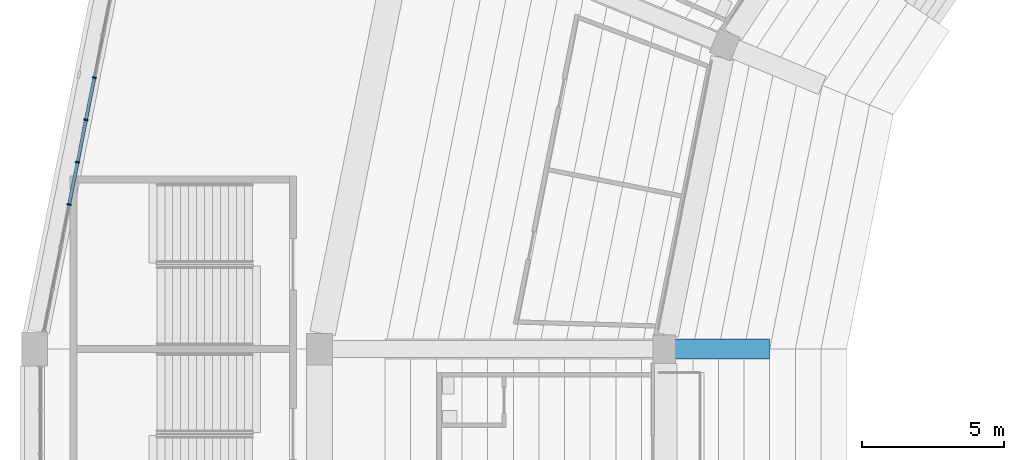
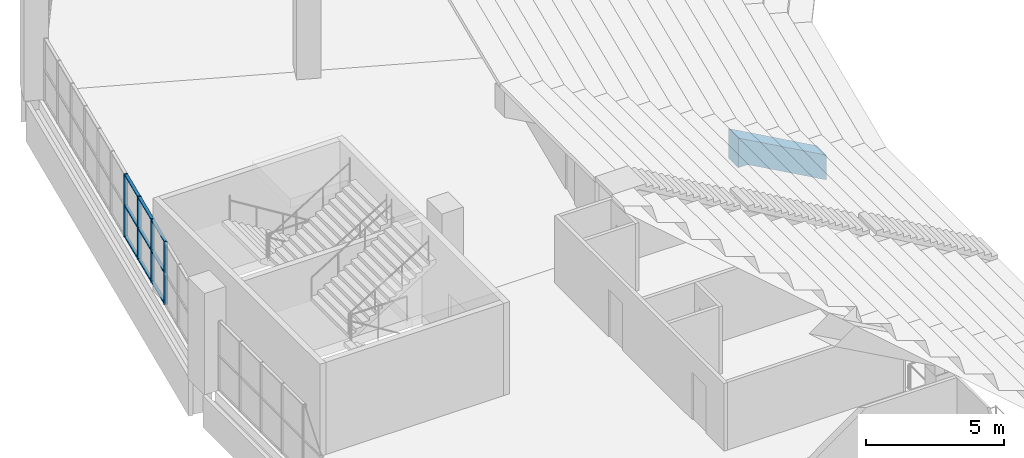
# One storey, part 42 of 249: 13 members, 1 beam, 1 element without a shape of its own.
"""IFC4 building model written with IfcOpenShell, lengths in metres."""

from ifc_helpers import new_model, si_unit, direction, frame, origin, origin_2d, place, context, subcontext, project, spatial, polyline, rectangle, outline, extrude, material, material_profile, profile_set, type_object, element, aggregate, save


model = new_model("IFC4")

# Units and contexts
model_context = context("Model", 3, precision=1e-05, world=origin(), true_north=direction((0.0, 1.0)))
body_context = subcontext(model_context, "Body", "Model", "MODEL_VIEW")
ifc_project = project(units=[si_unit("LENGTHUNIT", "METRE"), si_unit("AREAUNIT", "SQUARE_METRE"), si_unit("VOLUMEUNIT", "CUBIC_METRE"), si_unit("PLANEANGLEUNIT", "RADIAN"), si_unit("MASSUNIT", "GRAM", prefix="KILO")], contexts=[model_context])

# Site, building, storey
site_placement = place(None, origin())
site = spatial("IfcSite", under=ifc_project, at=site_placement, CompositionType="ELEMENT")
building_placement = place(site_placement, origin())
building = spatial("IfcBuilding", under=site, at=building_placement, Name="Ogive Plaza Stadium", CompositionType="ELEMENT")
storey_placement = place(building_placement, frame((0.0, 0.0, 13.5)))
storey = spatial("IfcBuildingStorey", under=building, at=storey_placement, Name="L03", CompositionType="ELEMENT", Elevation=13.5)

# Curtain wall, members
ifc_material_1 = material(Name="Bronze-anodised aluminium with laminated glass", Category="aluminium")
curtain_wall_type = type_object("IfcCurtainWallType", Name="Lancet curtain wall", PredefinedType="NOTDEFINED", material=ifc_material_1)
curtain_wall_placement = place(storey_placement, origin())
curtain_wall = element("IfcCurtainWall", 1, at=curtain_wall_placement, inside=storey, type_object=curtain_wall_type, Name="CURTAIN WALL B28 L03", PredefinedType="NOTDEFINED")
ifc_material_2 = material(Name="Bronze-anodised aluminium", Category="aluminium")
ifc_material_profile_1 = material_profile(ifc_material_2, rectangle(XDim=0.14990234375, YDim=0.050048828125, at=origin_2d()), Name="AL 150x50")
ifc_profile_set_1 = profile_set([ifc_material_profile_1], Name="Bronze-anodised aluminium")
member_type_1 = type_object("IfcMemberType", Name="Curtain wall mullion 50x150", PredefinedType="MULLION", material=ifc_profile_set_1)
member_1_placement = place(storey_placement, frame((-82.786865234375, 57.57373046875, 0.0), z_axis=(0.0, 0.0, 1.0), x_axis=(-0.980785280403, 0.195090322016, 0.0)))
member_1 = element("IfcMember", 2, at=member_1_placement, type_object=member_type_1, Name="CW-B28-L03 mullion 4", PredefinedType="MULLION", context=body_context, shape_type="SweptSolid", body=[
    extrude(rectangle(XDim=0.14990234375, YDim=0.050048828125, at=origin_2d()), origin(), (0.0, 0.0, 1.0), 2.7900390625),
])
member_2_placement = place(storey_placement, frame((-82.491455078125, 59.05859375, 0.0), z_axis=(0.0, 0.0, 1.0), x_axis=(-0.980785280403, 0.195090322016, 0.0)))
member_2 = element("IfcMember", 3, at=member_2_placement, type_object=member_type_1, Name="CW-B28-L03 mullion 5", PredefinedType="MULLION", context=body_context, shape_type="SweptSolid", body=[
    extrude(rectangle(XDim=0.14990234375, YDim=0.050048828125, at=origin_2d()), origin(), (0.0, 0.0, 1.0), 2.7900390625),
])
member_3_placement = place(storey_placement, frame((-82.1962890625, 60.543212890625, 0.0), z_axis=(0.0, 0.0, 1.0), x_axis=(-0.980785280403, 0.195090322016, 0.0)))
member_3 = element("IfcMember", 4, at=member_3_placement, type_object=member_type_1, Name="CW-B28-L03 mullion 6", PredefinedType="MULLION", context=body_context, shape_type="SweptSolid", body=[
    extrude(rectangle(XDim=0.14990234375, YDim=0.050048828125, at=origin_2d()), origin(), (0.0, 0.0, 1.0), 2.7900390625),
])
member_4_placement = place(storey_placement, frame((-81.90087890625, 62.028076171875, 0.0), z_axis=(0.0, 0.0, 1.0), x_axis=(-0.980785280403, 0.195090322016, 0.0)))
member_4 = element("IfcMember", 5, at=member_4_placement, type_object=member_type_1, Name="CW-B28-L03 mullion 7", PredefinedType="MULLION", context=body_context, shape_type="SweptSolid", body=[
    extrude(rectangle(XDim=0.14990234375, YDim=0.050048828125, at=origin_2d()), origin(), (0.0, 0.0, 1.0), 2.7900390625),
])
ifc_material_3 = material(Name="Bronze-anodised aluminium", Category="aluminium")
ifc_material_profile_2 = material_profile(ifc_material_3, rectangle(XDim=0.1201171875, YDim=0.050048828125, at=origin_2d()), Name="AL 120x50")
ifc_profile_set_2 = profile_set([ifc_material_profile_2], Name="Bronze-anodised aluminium")
member_type_2 = type_object("IfcMemberType", Name="Curtain wall transom 50x120", PredefinedType="USERDEFINED", material=ifc_profile_set_2)
member_5_placement = place(storey_placement, frame((-82.781982421875, 57.598388671875, 0.02490234375), z_axis=(0.195153744134, 0.980772662828, 0.0), x_axis=(-0.980772662828, 0.195153744134, 0.0)))
member_5 = element("IfcMember", 6, at=member_5_placement, type_object=member_type_2, Name="CW-B28-L03 transom 4.1", ObjectType="TRANSOM", PredefinedType="USERDEFINED", context=body_context, shape_type="SweptSolid", body=[
    extrude(rectangle(XDim=0.1201171875, YDim=0.050048828125, at=origin_2d()), origin(), (0.0, 0.0, 1.0), 1.463623046875),
])
member_6_placement = place(storey_placement, frame((-82.781982421875, 57.598388671875, 1.39501953125), z_axis=(0.195153744134, 0.980772662828, 0.0), x_axis=(-0.980772662828, 0.195153744134, 0.0)))
member_6 = element("IfcMember", 7, at=member_6_placement, type_object=member_type_2, Name="CW-B28-L03 transom 4.2", ObjectType="TRANSOM", PredefinedType="USERDEFINED", context=body_context, shape_type="SweptSolid", body=[
    extrude(rectangle(XDim=0.1201171875, YDim=0.050048828125, at=origin_2d()), origin(), (0.0, 0.0, 1.0), 1.463623046875),
])
member_7_placement = place(storey_placement, frame((-82.781982421875, 57.598388671875, 2.764892578125), z_axis=(0.195153744134, 0.980772662828, 0.0), x_axis=(-0.980772662828, 0.195153744134, 0.0)))
member_7 = element("IfcMember", 8, at=member_7_placement, type_object=member_type_2, Name="CW-B28-L03 transom 4.3", ObjectType="TRANSOM", PredefinedType="USERDEFINED", context=body_context, shape_type="SweptSolid", body=[
    extrude(rectangle(XDim=0.1201171875, YDim=0.050048828125, at=origin_2d()), origin(), (0.0, 0.0, 1.0), 1.463623046875),
])
member_8_placement = place(storey_placement, frame((-82.486572265625, 59.0830078125, 0.02490234375), z_axis=(0.195121823859, 0.980779013771, 0.0), x_axis=(-0.980779013771, 0.195121823859, 0.0)))
member_8 = element("IfcMember", 9, at=member_8_placement, type_object=member_type_2, Name="CW-B28-L03 transom 5.1", ObjectType="TRANSOM", PredefinedType="USERDEFINED", context=body_context, shape_type="SweptSolid", body=[
    extrude(rectangle(XDim=0.1201171875, YDim=0.050048828125, at=origin_2d()), origin(), (0.0, 0.0, 1.0), 1.4638671875),
])
member_9_placement = place(storey_placement, frame((-82.486572265625, 59.0830078125, 1.39501953125), z_axis=(0.195121823859, 0.980779013771, 0.0), x_axis=(-0.980779013771, 0.195121823859, 0.0)))
member_9 = element("IfcMember", 10, at=member_9_placement, type_object=member_type_2, Name="CW-B28-L03 transom 5.2", ObjectType="TRANSOM", PredefinedType="USERDEFINED", context=body_context, shape_type="SweptSolid", body=[
    extrude(rectangle(XDim=0.1201171875, YDim=0.050048828125, at=origin_2d()), origin(), (0.0, 0.0, 1.0), 1.4638671875),
])
member_10_placement = place(storey_placement, frame((-82.486572265625, 59.0830078125, 2.764892578125), z_axis=(0.195121823859, 0.980779013771, 0.0), x_axis=(-0.980779013771, 0.195121823859, 0.0)))
member_10 = element("IfcMember", 11, at=member_10_placement, type_object=member_type_2, Name="CW-B28-L03 transom 5.3", ObjectType="TRANSOM", PredefinedType="USERDEFINED", context=body_context, shape_type="SweptSolid", body=[
    extrude(rectangle(XDim=0.1201171875, YDim=0.050048828125, at=origin_2d()), origin(), (0.0, 0.0, 1.0), 1.4638671875),
])
member_11_placement = place(storey_placement, frame((-82.19140625, 60.56787109375, 0.02490234375), z_axis=(0.195121823859, 0.980779013771, 0.0), x_axis=(-0.980779013771, 0.195121823859, 0.0)))
member_11 = element("IfcMember", 12, at=member_11_placement, type_object=member_type_2, Name="CW-B28-L03 transom 6.1", ObjectType="TRANSOM", PredefinedType="USERDEFINED", context=body_context, shape_type="SweptSolid", body=[
    extrude(rectangle(XDim=0.1201171875, YDim=0.050048828125, at=origin_2d()), origin(), (0.0, 0.0, 1.0), 1.4638671875),
])
member_12_placement = place(storey_placement, frame((-82.19140625, 60.56787109375, 1.39501953125), z_axis=(0.195121823859, 0.980779013771, 0.0), x_axis=(-0.980779013771, 0.195121823859, 0.0)))
member_12 = element("IfcMember", 13, at=member_12_placement, type_object=member_type_2, Name="CW-B28-L03 transom 6.2", ObjectType="TRANSOM", PredefinedType="USERDEFINED", context=body_context, shape_type="SweptSolid", body=[
    extrude(rectangle(XDim=0.1201171875, YDim=0.050048828125, at=origin_2d()), origin(), (0.0, 0.0, 1.0), 1.4638671875),
])
member_13_placement = place(storey_placement, frame((-82.19140625, 60.56787109375, 2.764892578125), z_axis=(0.195121823859, 0.980779013771, 0.0), x_axis=(-0.980779013771, 0.195121823859, 0.0)))
member_13 = element("IfcMember", 14, at=member_13_placement, type_object=member_type_2, Name="CW-B28-L03 transom 6.3", ObjectType="TRANSOM", PredefinedType="USERDEFINED", context=body_context, shape_type="SweptSolid", body=[
    extrude(rectangle(XDim=0.1201171875, YDim=0.050048828125, at=origin_2d()), origin(), (0.0, 0.0, 1.0), 1.4638671875),
])
aggregate(curtain_wall, [member_1, member_2, member_3, member_4, member_5, member_6, member_7, member_8, member_9, member_10, member_11, member_12, member_13])

# Beam
ifc_material_4 = material(Name="Concrete C45/55 precast", Category="concrete")
ifc_material_profile_3 = material_profile(ifc_material_4, rectangle(XDim=0.699951171875, YDim=1.10009765625, at=origin_2d()), Name="RC 700x1100")
ifc_profile_set_3 = profile_set([ifc_material_profile_3], Name="Concrete C45/55 precast")
beam_type = type_object("IfcBeamType", Name="Precast raker UT cantilever 700x1100", PredefinedType="USERDEFINED", material=ifc_profile_set_3)
beam_placement = place(storey_placement, frame((-34.0, 52.5, -13.5), z_axis=(0.0, 0.0, 1.0), x_axis=(-1.0, 0.0, 0.0)))
element("IfcBeam", 15, at=beam_placement, inside=storey, type_object=beam_type, Name="RAKER UT CANTILEVER R28", ObjectType="RAKER", PredefinedType="USERDEFINED", context=body_context, shape_type="SweptSolid", body=[
    extrude(outline(polyline([(24.199951171875, 13.699951171875), (27.5, 15.533203125), (27.89990234375, 15.533203125), (27.89990234375, 16.855712890625), (24.199951171875, 14.800048828125), (24.199951171875, 13.699951171875)])), frame((0.0, 0.35009765625, 0.0), z_axis=(0.0, -1.0, 0.0), x_axis=(1.0, 0.0, 0.0)), (0.0, 0.0, 1.0), 0.699951171875),
])

save(model, "model.ifc")
